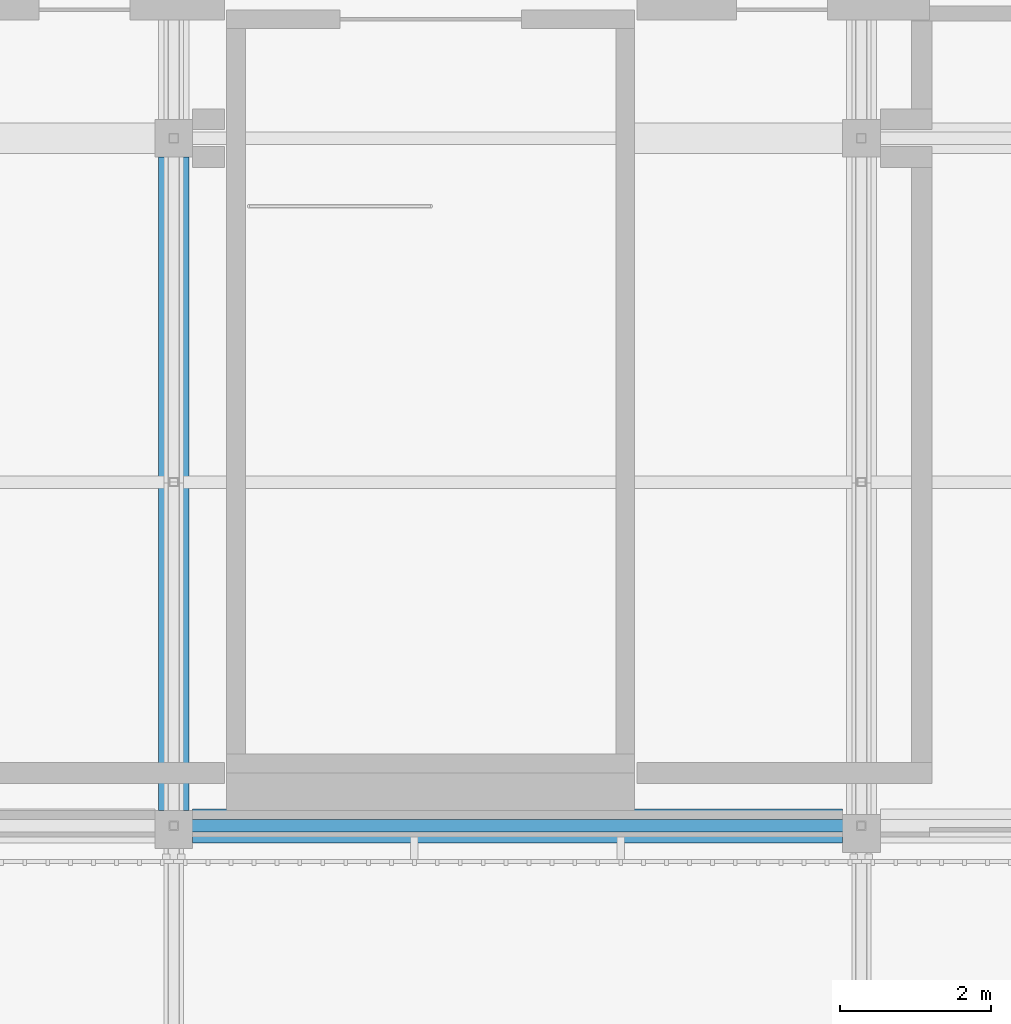
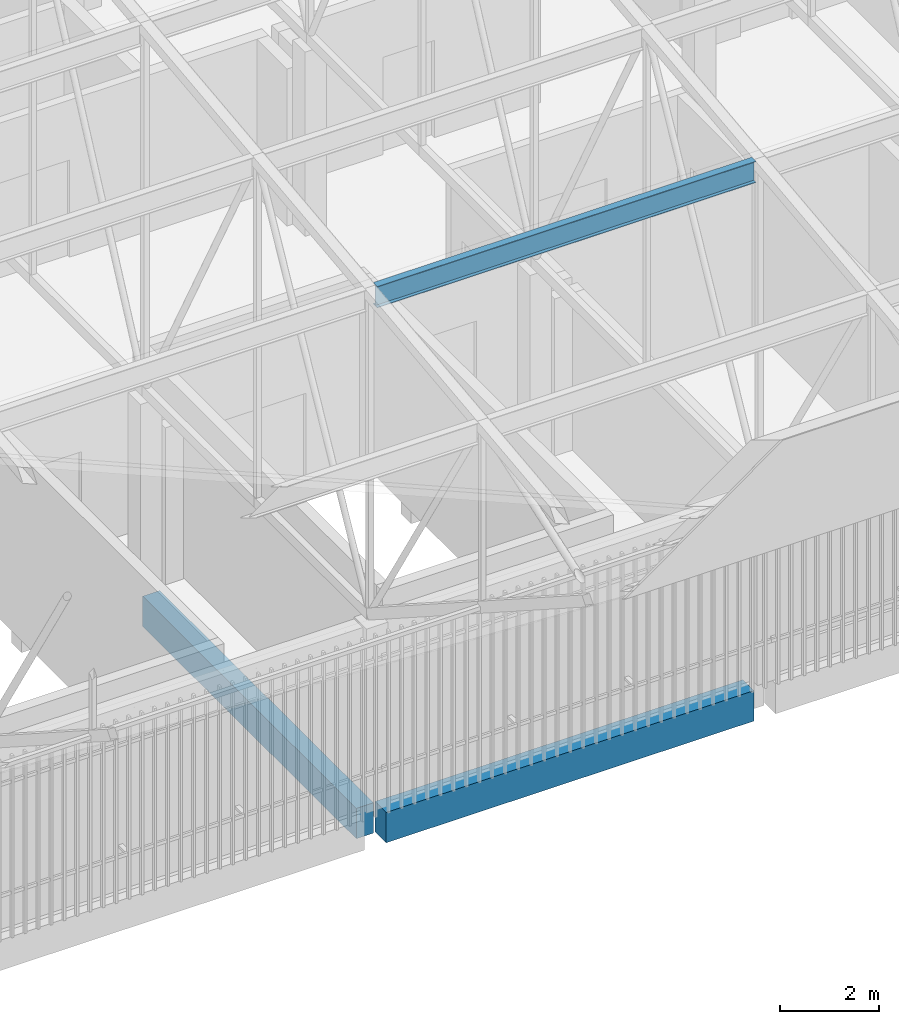
# One storey, part 11 of 500: 2 beams, 1 member.
"""IFC4 building model written with IfcOpenShell, lengths in metres."""

import ifcopenshell
import ifcopenshell.guid

model = None  # the IFC model being written
_history = None  # IfcOwnerHistory: only IFC2X3 demands one
_inside = {}  # id of a spatial element -> (the spatial element, [elements in it])
_under = {}  # id of a project, library or spatial element -> (it, [spatial elements below it])
_declared = {}  # id of a project -> (the project, [libraries it declares])
_typed = {}  # id of a type object -> (the type object, [elements of that type])
_made_of = {}  # id of a material, layer set ... -> (it, [elements and type objects made of it])


def new_model(schema):
    """Start an empty IFC model of exactly this schema.

    Asked for "IFC4X3", IfcOpenShell would pick the latest addendum, in which some entities
    have other attributes; the version numbers below select the first issue.
    IFC2X3 requires an IfcOwnerHistory on every rooted entity: one is made here for all.
    """
    global model, _history
    if schema == "IFC4X3":
        model = ifcopenshell.file(schema_version=(4, 3, 0, 0))
    else:
        model = ifcopenshell.file(schema=schema)
    _inside.clear()
    _under.clear()
    _declared.clear()
    _typed.clear()
    _made_of.clear()
    _history = None
    if model.schema == "IFC2X3":
        org = make("IfcOrganization", Name="unknown")
        user = make(
            "IfcPersonAndOrganization",
            ThePerson=make("IfcPerson", FamilyName="unknown"),
            TheOrganization=org,
        )
        app = make(
            "IfcApplication",
            ApplicationDeveloper=org,
            Version="unknown",
            ApplicationFullName="unknown",
            ApplicationIdentifier="unknown",
        )
        _history = make(
            "IfcOwnerHistory",
            OwningUser=user,
            OwningApplication=app,
            ChangeAction="ADDED",
            CreationDate=0,
        )
    return model


def make(cls, **values):
    """One entity of the class cls with the attributes given. An attribute that is None is left unset."""
    return model.create_entity(
        cls, **{name: value for name, value in values.items() if value is not None}
    )


def rooted(cls, **values):
    """An entity with a GlobalId (a new one), such as an element, a storey or a relation."""
    return make(cls, GlobalId=ifcopenshell.guid.new(), OwnerHistory=_history, **values)


def si_unit(unit_type, name, prefix=None):
    """IfcSIUnit, for example si_unit("LENGTHUNIT", "METRE", prefix="MILLI")."""
    return make("IfcSIUnit", UnitType=unit_type, Prefix=prefix, Name=name)


def assignment(units):
    """IfcUnitAssignment: the units of a project."""
    return None if units is None else make("IfcUnitAssignment", Units=units)


def point(xyz):
    """IfcCartesianPoint."""
    return None if xyz is None else make("IfcCartesianPoint", Coordinates=xyz)


def direction(xyz):
    """IfcDirection."""
    return None if xyz is None else make("IfcDirection", DirectionRatios=xyz)


def frame(location, z_axis=None, x_axis=None):
    """IfcAxis2Placement3D, a coordinate frame: its origin and axes. An axis left out is left unset."""
    return make(
        "IfcAxis2Placement3D",
        Location=point(location),
        Axis=direction(z_axis),
        RefDirection=direction(x_axis),
    )


def frame_2d(location, x_axis=None):
    """IfcAxis2Placement2D, a coordinate frame in the plane: its origin and x axis."""
    return make(
        "IfcAxis2Placement2D", Location=point(location), RefDirection=direction(x_axis)
    )


def origin():
    """The frame at (0, 0, 0) with its axes left unset."""
    return frame((0.0, 0.0, 0.0))


def origin_2d():
    """The frame at (0, 0) in the plane with its x axis left unset."""
    return frame_2d((0.0, 0.0))


def place(relative_to, where):
    """IfcLocalPlacement: puts the frame where relative to a parent placement (None: the world)."""
    return make(
        "IfcLocalPlacement", PlacementRelTo=relative_to, RelativePlacement=where
    )


def context(
    kind, dimensions, precision=None, world=None, true_north=None, identifier=None
):
    """IfcGeometricRepresentationContext, for example the 3D "Model" context."""
    return make(
        "IfcGeometricRepresentationContext",
        ContextIdentifier=identifier,
        ContextType=kind,
        CoordinateSpaceDimension=dimensions,
        Precision=precision,
        WorldCoordinateSystem=world,
        TrueNorth=true_north,
    )


def subcontext(parent, identifier, kind, view, scale=None):
    """IfcGeometricRepresentationSubContext, for example "Body" below "Model"."""
    return make(
        "IfcGeometricRepresentationSubContext",
        ContextIdentifier=identifier,
        ContextType=kind,
        ParentContext=parent,
        TargetScale=scale,
        TargetView=view,
    )


def project(units=None, contexts=None):
    """IfcProject with its units and contexts."""
    return rooted(
        "IfcProject",
        Name="project",
        RepresentationContexts=contexts,
        UnitsInContext=assignment(units),
    )


def spatial(cls, under=None, at=None, **own):
    """A site, building, storey or space (cls), placed at a placement, below another one or the project."""
    s = rooted(cls, ObjectPlacement=at, **own)
    if under is not None:
        _under.setdefault(under.id(), (under, []))[1].append(s)
    return s


def profile(cls, at=None, kind="AREA", **sizes):
    """A parametric profile (cls). Its sizes go by their IFC names, for example OverallWidth=200.0."""
    return make(cls, ProfileType=kind, Position=at, **sizes)


def rectangle(**sizes):
    """IfcRectangleProfileDef."""
    return profile("IfcRectangleProfileDef", **sizes)


def i_section(**sizes):
    """IfcIShapeProfileDef."""
    return profile("IfcIShapeProfileDef", **sizes)


def extrude(swept, where, along, depth):
    """IfcExtrudedAreaSolid: the profile swept, set in the frame where, extruded along a direction by depth."""
    return make(
        "IfcExtrudedAreaSolid",
        SweptArea=swept,
        Position=where,
        ExtrudedDirection=direction(along),
        Depth=depth,
    )


def shape(context_of_items, identifier, shape_type, items):
    """IfcShapeRepresentation: the items that make up one representation, for example the "Body"."""
    return make(
        "IfcShapeRepresentation",
        ContextOfItems=context_of_items,
        RepresentationIdentifier=identifier,
        RepresentationType=shape_type,
        Items=items,
    )


def material(Name=None, Category=None):
    """IfcMaterial."""
    return make("IfcMaterial", Name=Name, Category=Category)


def material_profile(
    of_material, cross_section, Name=None, Category=None, Priority=None
):
    """IfcMaterialProfile: a cross section and its material."""
    return make(
        "IfcMaterialProfile",
        Name=Name,
        Material=of_material,
        Profile=cross_section,
        Priority=Priority,
        Category=Category,
    )


def profile_set(profiles, Name=None, composite=None):
    """IfcMaterialProfileSet."""
    return make(
        "IfcMaterialProfileSet",
        Name=Name,
        MaterialProfiles=profiles,
        CompositeProfile=composite,
    )


def made_of(thing, what):
    """Note that an element or type object is made of a material, layer set ...; save() writes the relation."""
    if what is not None:
        _made_of.setdefault(what.id(), (what, []))[1].append(thing)
    return thing


def type_object(cls, material=None, **own):
    """A type object (cls), such as IfcWallType, which elements share."""
    return made_of(rooted(cls, **own), material)


def element(
    cls,
    number,
    at=None,
    inside=None,
    cuts=None,
    type_object=None,
    material=None,
    context=None,
    identifier="Body",
    shape_type=None,
    held_by="IfcProductDefinitionShape",
    body=None,
    shapes=None,
    **own,
):
    """One element of the class cls, such as IfcWall. Its Tag is "e" and its number.

    at: its placement. inside: the storey or other place that contains it. cuts: it is an
    opening in that element (IfcRelVoidsElement). A single representation is given by context,
    identifier, shape_type and body (its items); several are given by shapes. held_by: the class
    of the entity that holds the representations. save() writes the other relations.
    """
    e = rooted(cls, Tag="e%d" % number, ObjectPlacement=at, **own)
    if body is not None:
        shapes = [shape(context, identifier, shape_type, body)]
    if shapes is not None:
        e.Representation = make(held_by, Representations=shapes)
    if inside is not None:
        _inside.setdefault(inside.id(), (inside, []))[1].append(e)
    if cuts is not None:
        rooted(
            "IfcRelVoidsElement", RelatingBuildingElement=cuts, RelatedOpeningElement=e
        )
    if type_object is not None:
        _typed.setdefault(type_object.id(), (type_object, []))[1].append(e)
    return made_of(e, material)


def aggregate(whole, parts):
    """IfcRelAggregates: a whole, such as a stair, and the parts it consists of."""
    return rooted("IfcRelAggregates", RelatingObject=whole, RelatedObjects=parts)


def save(model, path):
    """Write the relations noted so far, then the file.

    IfcRelAggregates (storeys below a building ...), IfcRelContainedInSpatialStructure (elements
    in a storey), IfcRelDefinesByType, IfcRelAssociatesMaterial and IfcRelDeclares: one each for
    every whole, place, type object, material and project.
    """
    for whole, parts in _under.values():
        aggregate(whole, parts)
    for where, things in _inside.values():
        rooted(
            "IfcRelContainedInSpatialStructure",
            RelatedElements=things,
            RelatingStructure=where,
        )
    for kind, things in _typed.values():
        rooted("IfcRelDefinesByType", RelatedObjects=things, RelatingType=kind)
    for what, things in _made_of.values():
        rooted("IfcRelAssociatesMaterial", RelatedObjects=things, RelatingMaterial=what)
    for by, libraries in _declared.values():
        rooted("IfcRelDeclares", RelatingContext=by, RelatedDefinitions=libraries)
    model.write(path)


model = new_model("IFC4")

# Units and contexts
model_context = context("Model", 3, precision=1e-05, world=origin(), true_north=direction((0.0, 1.0)))
body_context = subcontext(model_context, "Body", "Model", "MODEL_VIEW")
ifc_project = project(units=[si_unit("LENGTHUNIT", "METRE"), si_unit("AREAUNIT", "SQUARE_METRE"), si_unit("VOLUMEUNIT", "CUBIC_METRE"), si_unit("PLANEANGLEUNIT", "RADIAN"), si_unit("MASSUNIT", "GRAM", prefix="KILO")], contexts=[model_context])

# Site, building, storey
site_placement = place(None, origin())
site = spatial("IfcSite", under=ifc_project, at=site_placement, CompositionType="ELEMENT")
building_placement = place(site_placement, origin())
building = spatial("IfcBuilding", under=site, at=building_placement, Name="Shirokan Park Arena", CompositionType="ELEMENT")
storey_placement = place(building_placement, frame((0.0, 0.0, 29.1201171875)))
storey = spatial("IfcBuildingStorey", under=building, at=storey_placement, Name="L06", CompositionType="ELEMENT", Elevation=29.1201171875)

# Member
ifc_material_1 = material(Name="Steel ASTM A992", Category="steel")
ifc_material_profile_1 = material_profile(ifc_material_1, i_section(OverallWidth=0.166015625, OverallDepth=0.528076171875, WebThickness=0.009765625, FlangeThickness=0.013671875, at=origin_2d()), Name="W530X74")
ifc_profile_set_1 = profile_set([ifc_material_profile_1], Name="Steel ASTM A992")
member_type = type_object("IfcMemberType", Name="Purlin W530X74", PredefinedType="PURLIN", material=ifc_profile_set_1)
member_placement = place(storey_placement, frame((18.326904296875, 0.0, 12.48583984375), z_axis=(1.0, 0.0, 0.0), x_axis=(0.0, 1.0, 0.0)))
element("IfcMember", 1, at=member_placement, inside=storey, type_object=member_type, Name="Purlin 3 bay 3", PredefinedType="PURLIN", context=body_context, shape_type="SweptSolid", body=[
    extrude(i_section(OverallWidth=0.166015625, OverallDepth=0.528076171875, WebThickness=0.009765625, FlangeThickness=0.013671875, at=origin_2d()), origin(), (0.0, 0.0, 1.0), 8.84619140625),
])

# Beams
ifc_material_2 = material(Name="Concrete C35", Category="concrete")
ifc_material_profile_2 = material_profile(ifc_material_2, rectangle(XDim=0.39990234375, YDim=0.75, at=origin_2d()), Name="400x750")
ifc_profile_set_2 = profile_set([ifc_material_profile_2], Name="Concrete C35")
beam_type_1 = type_object("IfcBeamType", Name="RC girder 400x750", PredefinedType="BEAM", material=ifc_profile_set_2)
beam_1_placement = place(storey_placement, frame((18.199951171875, 0.2001953125, -0.5751953125), z_axis=(0.0, 1.0, 0.0), x_axis=(-1.0, 0.0, 0.0)))
element("IfcBeam", 2, at=beam_1_placement, inside=storey, type_object=beam_type_1, Name="Girder 3A-3B L06", PredefinedType="BEAM", context=body_context, shape_type="SweptSolid", body=[
    extrude(rectangle(XDim=0.39990234375, YDim=0.75, at=origin_2d()), origin(), (0.0, 0.0, 1.0), 8.649658203125),
])
ifc_material_profile_3 = material_profile(ifc_material_2, rectangle(XDim=0.449951171875, YDim=0.75, at=origin_2d()), Name="450x750")
ifc_profile_set_3 = profile_set([ifc_material_profile_3], Name="Concrete C35")
beam_type_2 = type_object("IfcBeamType", Name="RC girder 450x750", PredefinedType="BEAM", material=ifc_profile_set_3)
beam_2_placement = place(storey_placement, frame((18.4501953125, 0.0, -0.5751953125), z_axis=(1.0, 0.0, 0.0), x_axis=(0.0, 1.0, 0.0)))
element("IfcBeam", 3, at=beam_2_placement, inside=storey, type_object=beam_type_2, Name="Girder 3A-4A L06", PredefinedType="BEAM", context=body_context, shape_type="SweptSolid", body=[
    extrude(rectangle(XDim=0.449951171875, YDim=0.75, at=origin_2d()), origin(), (0.0, 0.0, 1.0), 8.599609375),
])

save(model, "model.ifc")
